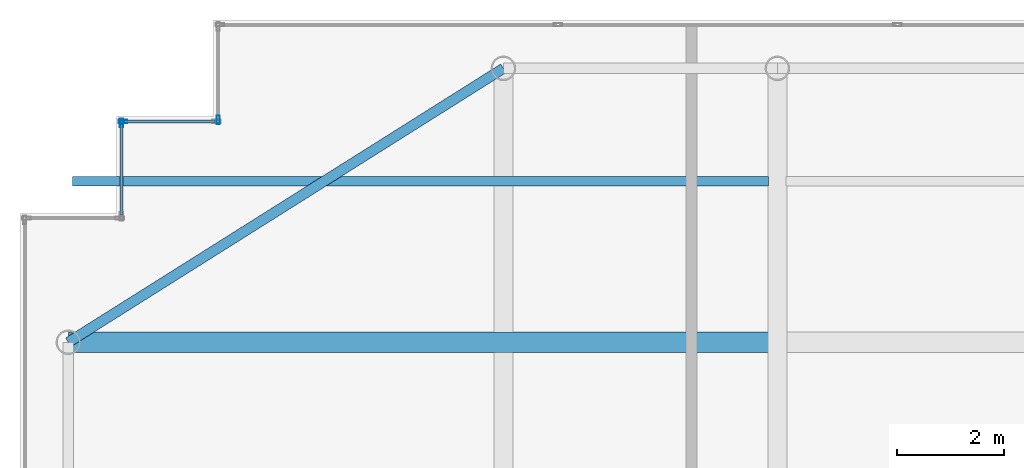
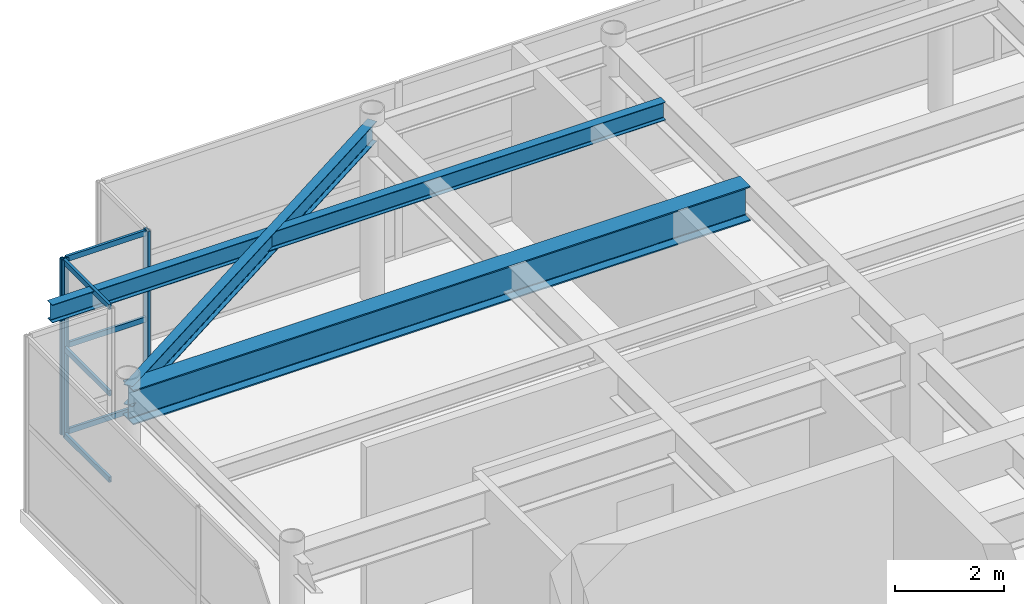
# One storey, part 21 of 32: 9 members, 3 beams, 3 elements without a shape of their own.
"""IFC4 building model written with IfcOpenShell, lengths in metres."""

from ifc_helpers import new_model, si_unit, direction, frame, origin, origin_2d, place, context, subcontext, project, spatial, hollow_rectangle, i_section, extrude, source, transform, mapped, material, layer, layer_set, material_profile, profile_set, type_object, element, aggregate, save


model = new_model("IFC4")

# Units and contexts
model_context = context("Model", 3, precision=1e-05, world=origin(), true_north=direction((0.0, 1.0)))
body_context = subcontext(model_context, "Body", "Model", "MODEL_VIEW")
ifc_project = project(units=[si_unit("LENGTHUNIT", "METRE"), si_unit("AREAUNIT", "SQUARE_METRE"), si_unit("VOLUMEUNIT", "CUBIC_METRE"), si_unit("PLANEANGLEUNIT", "RADIAN"), si_unit("MASSUNIT", "GRAM", prefix="KILO")], contexts=[model_context])

# Site, building, storey
site_placement = place(None, origin())
site = spatial("IfcSite", under=ifc_project, at=site_placement, CompositionType="ELEMENT")
building_placement = place(site_placement, origin())
building = spatial("IfcBuilding", under=site, at=building_placement, Name="Khoralis Quay Care Tower", CompositionType="ELEMENT")
storey_placement = place(building_placement, frame((0.0, 0.0, 310.5)))
storey = spatial("IfcBuildingStorey", under=building, at=storey_placement, Name="L81", CompositionType="ELEMENT", Elevation=310.5)

# Beams
ifc_material_1 = material(Name="Steel S355", Category="steel")
ifc_material_profile_1 = material_profile(ifc_material_1, i_section(OverallWidth=0.18994140625, OverallDepth=0.449951171875, WebThickness=0.009521484375, FlangeThickness=0.0146484375, FilletRadius=0.02099609375, at=origin_2d()), Name="Steel S355")
ifc_profile_set_1 = profile_set([ifc_material_profile_1], Name="Steel S355")
beam_type_1 = type_object("IfcBeamType", Name="BM-IPE450", PredefinedType="SPANDREL", material=ifc_profile_set_1)
shared_shape_1 = source(origin(), body_context, "Body", "SweptSolid", [
    extrude(i_section(OverallWidth=0.18994140625, OverallDepth=0.449951171875, WebThickness=0.009521484375, FlangeThickness=0.0146484375, FilletRadius=0.02099609375, at=origin_2d()), origin(), (0.0, 0.0, 1.0), 9.572021484375),
])
beam_1_placement = place(storey_placement, frame((12.0, 41.10009765625, 3.695068359375), z_axis=(-0.846231136359, -0.532815975602, 0.0), x_axis=(0.532815975602, -0.846231136359, 0.0)))
element("IfcBeam", 1, at=beam_1_placement, inside=storey, type_object=beam_type_1, Name="BM-TCR-L81-19", PredefinedType="SPANDREL", context=body_context, shape_type="MappedRepresentation", body=[
    mapped(shared_shape_1, transform((0.0, 0.0, 0.0), scale=1.0)),
])
ifc_material_profile_2 = material_profile(ifc_material_1, i_section(OverallWidth=0.381103515625, OverallDepth=0.77294921875, WebThickness=0.0166015625, FlangeThickness=0.027587890625, FilletRadius=0.02197265625, at=origin_2d()), Name="Steel S355")
ifc_profile_set_2 = profile_set([ifc_material_profile_2], Name="Steel S355")
beam_type_2 = type_object("IfcBeamType", Name="BM-W760X257", PredefinedType="BEAM", material=ifc_profile_set_2)
shared_shape_2 = source(origin(), body_context, "Body", "SweptSolid", [
    extrude(i_section(OverallWidth=0.381103515625, OverallDepth=0.77294921875, WebThickness=0.0166015625, FlangeThickness=0.027587890625, FilletRadius=0.02197265625, at=origin_2d()), origin(), (0.0, 0.0, 1.0), 13.03466796875),
])
beam_2_placement = place(storey_placement, frame((3.89990234375, 36.0, 3.533447265625), z_axis=(1.0, 0.0, 0.0), x_axis=(0.0, 1.0, 0.0)))
element("IfcBeam", 2, at=beam_2_placement, inside=storey, type_object=beam_type_2, Name="BM-TGXW-L81-360", PredefinedType="BEAM", context=body_context, shape_type="MappedRepresentation", body=[
    mapped(shared_shape_2, transform((0.0, 0.0, 0.0), scale=1.0)),
])
ifc_material_profile_3 = material_profile(ifc_material_1, i_section(OverallWidth=0.177978515625, OverallDepth=0.406982421875, WebThickness=0.0078125, FlangeThickness=0.0126953125, FilletRadius=0.012939453125, at=origin_2d()), Name="Steel S355")
ifc_profile_set_3 = profile_set([ifc_material_profile_3], Name="Steel S355")
beam_type_3 = type_object("IfcBeamType", Name="BM-W410X60", PredefinedType="JOIST", material=ifc_profile_set_3)
shared_shape_3 = source(origin(), body_context, "Body", "SweptSolid", [
    extrude(i_section(OverallWidth=0.177978515625, OverallDepth=0.406982421875, WebThickness=0.0078125, FlangeThickness=0.0126953125, FilletRadius=0.012939453125, at=origin_2d()), origin(), (0.0, 0.0, 1.0), 12.95361328125),
])
beam_3_placement = place(storey_placement, frame((3.98095703125, 39.0, 3.716552734375), z_axis=(1.0, 0.0, 0.0), x_axis=(0.0, 1.0, 0.0)))
element("IfcBeam", 3, at=beam_3_placement, inside=storey, type_object=beam_type_3, Name="BM-TJS-L81-27", PredefinedType="JOIST", context=body_context, shape_type="MappedRepresentation", body=[
    mapped(shared_shape_3, transform((0.0, 0.0, 0.0), scale=1.0)),
])

# Curtain wall, members
ifc_material_2 = material(Name="Pale anodised aluminium", Category="aluminium")
ifc_layer = layer(ifc_material_2, 0.199951171875)
ifc_layer_set = layer_set([ifc_layer], Name="Pale anodised aluminium")
curtain_wall_type = type_object("IfcCurtainWallType", Name="CW-SYS-LANTERN", PredefinedType="NOTDEFINED", material=ifc_layer_set)
curtain_wall_1_placement = place(storey_placement, origin())
curtain_wall_1 = element("IfcCurtainWall", 4, at=curtain_wall_1_placement, inside=storey, type_object=curtain_wall_type, Name="L81 Unitised Curtain Wall CW-LN-L81-13", PredefinedType="NOTDEFINED")
ifc_material_profile_4 = material_profile(ifc_material_2, hollow_rectangle(XDim=0.054931640625, YDim=0.1201171875, WallThickness=0.00390625, at=origin_2d()), Name="Pale anodised aluminium")
ifc_profile_set_4 = profile_set([ifc_material_profile_4], Name="Pale anodised aluminium")
member_type_1 = type_object("IfcMemberType", Name="CW-TRN-120", PredefinedType="USERDEFINED", material=ifc_profile_set_4)
shared_shape_4 = source(origin(), body_context, "Body", "SweptSolid", [
    extrude(hollow_rectangle(XDim=0.054931640625, YDim=0.1201171875, WallThickness=0.00390625, at=origin_2d()), origin(), (0.0, 0.0, 1.0), 1.679931640625),
])
member_1_placement = place(storey_placement, frame((6.6298828125, 40.110107421875, 0.030029296875), z_axis=(-1.0, 0.0, 0.0), x_axis=(0.0, -1.0, 0.0)))
member_1 = element("IfcMember", 5, at=member_1_placement, type_object=member_type_1, Name="CW5 transom 1.1", ObjectType="TRANSOM", PredefinedType="USERDEFINED", context=body_context, shape_type="MappedRepresentation", body=[
    mapped(shared_shape_4, transform((0.0, 0.0, 0.0), scale=1.0)),
])
member_2_placement = place(storey_placement, frame((6.6298828125, 40.110107421875, 1.9599609375), z_axis=(-1.0, 0.0, 0.0), x_axis=(0.0, -1.0, 0.0)))
member_2 = element("IfcMember", 6, at=member_2_placement, type_object=member_type_1, Name="CW5 transom 1.2", ObjectType="TRANSOM", PredefinedType="USERDEFINED", context=body_context, shape_type="MappedRepresentation", body=[
    mapped(shared_shape_4, transform((0.0, 0.0, 0.0), scale=1.0)),
])
member_3_placement = place(storey_placement, frame((6.6298828125, 40.110107421875, 3.889892578125), z_axis=(-1.0, 0.0, 0.0), x_axis=(0.0, -1.0, 0.0)))
member_3 = element("IfcMember", 7, at=member_3_placement, type_object=member_type_1, Name="CW5 transom 1.3", ObjectType="TRANSOM", PredefinedType="USERDEFINED", context=body_context, shape_type="MappedRepresentation", body=[
    mapped(shared_shape_4, transform((0.0, 0.0, 0.0), scale=1.0)),
])

curtain_wall_2_placement = place(storey_placement, origin())
curtain_wall_2 = element("IfcCurtainWall", 8, at=curtain_wall_2_placement, inside=storey, type_object=curtain_wall_type, Name="L81 Unitised Curtain Wall CW-LN-L81-14", PredefinedType="NOTDEFINED")
member_4_placement = place(storey_placement, frame((4.889892578125, 40.050048828125, 0.030029296875), z_axis=(0.0, -1.0, 0.0), x_axis=(1.0, 0.0, 0.0)))
member_4 = element("IfcMember", 9, at=member_4_placement, type_object=member_type_1, Name="CW5 transom 1.1", ObjectType="TRANSOM", PredefinedType="USERDEFINED", context=body_context, shape_type="MappedRepresentation", body=[
    mapped(shared_shape_4, transform((0.0, 0.0, 0.0), scale=1.0)),
])
member_5_placement = place(storey_placement, frame((4.889892578125, 40.050048828125, 1.9599609375), z_axis=(0.0, -1.0, 0.0), x_axis=(1.0, 0.0, 0.0)))
member_5 = element("IfcMember", 10, at=member_5_placement, type_object=member_type_1, Name="CW5 transom 1.2", ObjectType="TRANSOM", PredefinedType="USERDEFINED", context=body_context, shape_type="MappedRepresentation", body=[
    mapped(shared_shape_4, transform((0.0, 0.0, 0.0), scale=1.0)),
])
member_6_placement = place(storey_placement, frame((4.889892578125, 40.050048828125, 3.889892578125), z_axis=(0.0, -1.0, 0.0), x_axis=(1.0, 0.0, 0.0)))
member_6 = element("IfcMember", 11, at=member_6_placement, type_object=member_type_1, Name="CW5 transom 1.3", ObjectType="TRANSOM", PredefinedType="USERDEFINED", context=body_context, shape_type="MappedRepresentation", body=[
    mapped(shared_shape_4, transform((0.0, 0.0, 0.0), scale=1.0)),
])

# Curtain wall, member
curtain_wall_3_placement = place(storey_placement, origin())
curtain_wall_3 = element("IfcCurtainWall", 12, at=curtain_wall_3_placement, inside=storey, type_object=curtain_wall_type, Name="L81 Unitised Curtain Wall CW-LN-L81-12", PredefinedType="NOTDEFINED")
ifc_material_profile_5 = material_profile(ifc_material_2, hollow_rectangle(XDim=0.06005859375, YDim=0.159912109375, WallThickness=0.00390625, at=origin_2d()), Name="Pale anodised aluminium")
ifc_profile_set_5 = profile_set([ifc_material_profile_5], Name="Pale anodised aluminium")
member_type_2 = type_object("IfcMemberType", Name="CW-MUL-160", PredefinedType="MULLION", material=ifc_profile_set_5)
shared_shape_5 = source(origin(), body_context, "Body", "SweptSolid", [
    extrude(hollow_rectangle(XDim=0.06005859375, YDim=0.159912109375, WallThickness=0.00390625, at=origin_2d()), origin(), (0.0, 0.0, 1.0), 3.919921875),
])
member_7_placement = place(storey_placement, frame((6.68994140625, 40.139892578125, 0.0), z_axis=(0.0, 0.0, 1.0), x_axis=(1.0, 0.0, 0.0)))
member_7 = element("IfcMember", 13, at=member_7_placement, type_object=member_type_2, Name="CW5 mullion 2", PredefinedType="MULLION", context=body_context, shape_type="MappedRepresentation", body=[
    mapped(shared_shape_5, transform((0.0, 0.0, 0.0), scale=1.0)),
])
aggregate(curtain_wall_3, [member_7])

# Member
member_8_placement = place(storey_placement, frame((4.919921875, 40.110107421875, 0.0), z_axis=(0.0, 0.0, 1.0), x_axis=(0.0, -1.0, 0.0)))
member_8 = element("IfcMember", 14, at=member_8_placement, type_object=member_type_2, Name="CW5 mullion 2", PredefinedType="MULLION", context=body_context, shape_type="MappedRepresentation", body=[
    mapped(shared_shape_5, transform((0.0, 0.0, 0.0), scale=1.0)),
])

aggregate(curtain_wall_1, [member_8, member_1, member_2, member_3])

member_9_placement = place(storey_placement, frame((4.889892578125, 40.080078125, 0.0), z_axis=(0.0, 0.0, 1.0), x_axis=(1.0, 0.0, 0.0)))
member_9 = element("IfcMember", 15, at=member_9_placement, type_object=member_type_2, Name="CW5 mullion 1", PredefinedType="MULLION", context=body_context, shape_type="MappedRepresentation", body=[
    mapped(shared_shape_5, transform((0.0, 0.0, 0.0), scale=1.0)),
])

aggregate(curtain_wall_2, [member_9, member_4, member_5, member_6])

save(model, "model.ifc")
